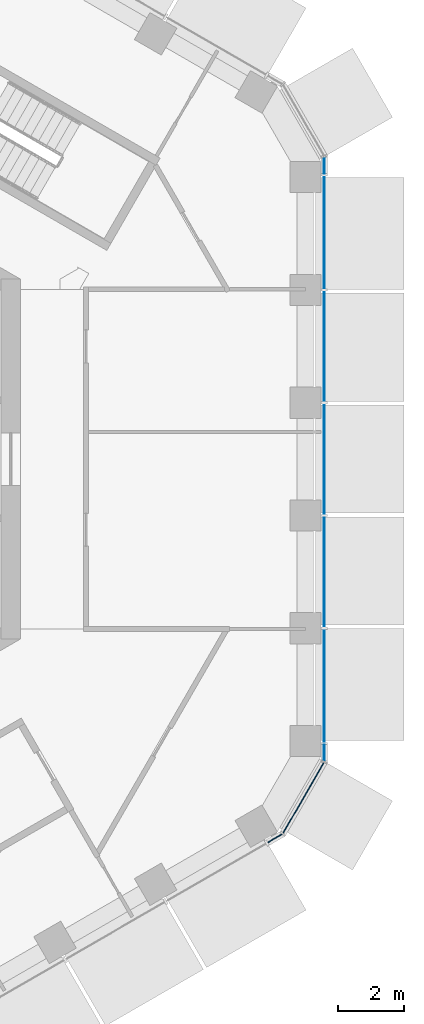
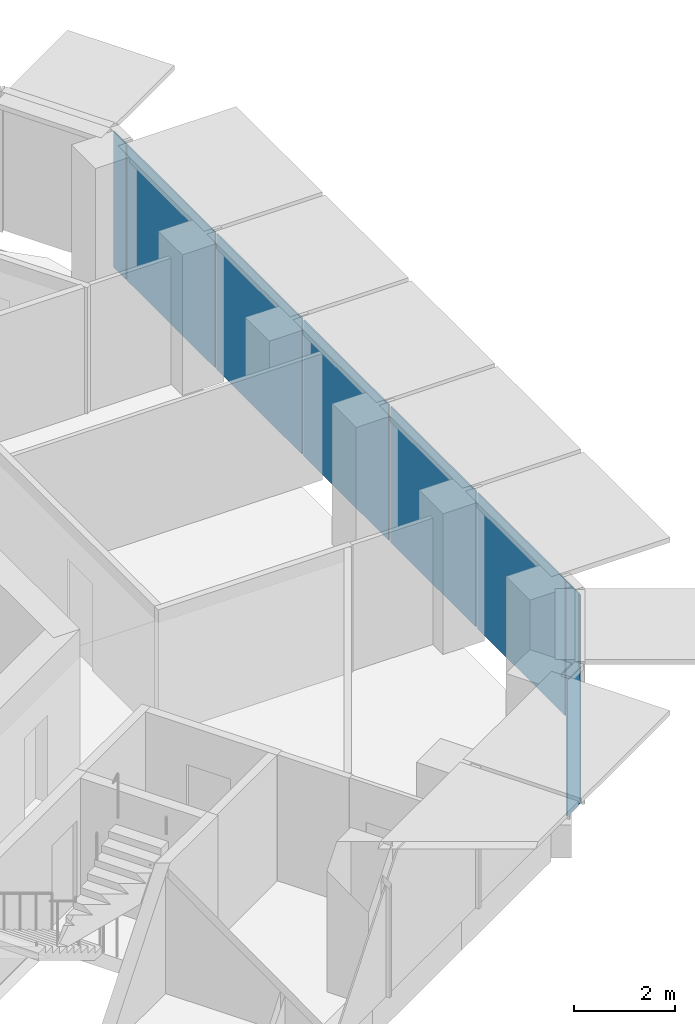
# One storey, part 11 of 18: 9 plates, 3 elements without a shape of their own.
"""IFC4 building model written with IfcOpenShell, lengths in metres."""

from ifc_helpers import new_model, si_unit, direction, frame, origin, origin_2d, place, context, subcontext, project, spatial, rectangle, extrude, material, layer, layer_set, type_object, element, aggregate, save


model = new_model("IFC4")

# Units and contexts
model_context = context("Model", 3, precision=1e-05, world=origin(), true_north=direction((0.0, 1.0)))
body_context = subcontext(model_context, "Body", "Model", "MODEL_VIEW")
ifc_project = project(units=[si_unit("LENGTHUNIT", "METRE"), si_unit("AREAUNIT", "SQUARE_METRE"), si_unit("VOLUMEUNIT", "CUBIC_METRE"), si_unit("PLANEANGLEUNIT", "RADIAN"), si_unit("MASSUNIT", "GRAM", prefix="KILO")], contexts=[model_context])

# Site, building, storey
site_placement = place(None, origin())
site = spatial("IfcSite", under=ifc_project, at=site_placement, CompositionType="ELEMENT")
building_placement = place(site_placement, origin())
building = spatial("IfcBuilding", under=site, at=building_placement, Name="Ayvan Gate Tower", CompositionType="ELEMENT")
storey_placement = place(building_placement, frame((0.0, 0.0, 159.5)))
storey = spatial("IfcBuildingStorey", under=building, at=storey_placement, Name="L42", CompositionType="ELEMENT", Elevation=159.5)

# Curtain wall, plates
ifc_material_1 = material(Name="Bronze anodised aluminium", Category="aluminium")
ifc_layer_1 = layer(ifc_material_1, 0.199951171875)
ifc_layer_set_1 = layer_set([ifc_layer_1], Name="Bronze anodised aluminium")
curtain_wall_type_1 = type_object("IfcCurtainWallType", Name="Stick curtain wall CW-2", PredefinedType="NOTDEFINED", material=ifc_layer_set_1)
curtain_wall_1_placement = place(storey_placement, origin())
curtain_wall_1 = element("IfcCurtainWall", 1, at=curtain_wall_1_placement, inside=storey, type_object=curtain_wall_type_1, Name="Stick curtain wall CW-2 L42", PredefinedType="NOTDEFINED")
ifc_material_2 = material(Name="Clear low-iron laminated glass", Category="glass")
ifc_layer_2 = layer(ifc_material_2, 0.028076171875)
ifc_layer_set_2 = layer_set([ifc_layer_2], Name="Clear low-iron laminated glass")
plate_type_1 = type_object("IfcPlateType", Name="Stick curtain wall CW-2 glass panel", PredefinedType="CURTAIN_PANEL", material=ifc_layer_set_2)
plate_1_placement = place(storey_placement, frame((18.761474609375, -6.93212890625, 0.0), z_axis=(0.0, 0.0, 1.0), x_axis=(0.0, 1.0, 0.0)))
plate_1 = element("IfcPlate", 2, at=plate_1_placement, type_object=plate_type_1, Name="CW-2 glass panel 1", PredefinedType="CURTAIN_PANEL", context=body_context, shape_type="SweptSolid", body=[
    extrude(rectangle(XDim=3.47900390625, YDim=0.028076171875, at=origin_2d()), origin(), (0.0, 0.0, 1.0), 3.280029296875),
])
plate_2_placement = place(storey_placement, frame((18.761474609375, -3.4384765625, 0.0), z_axis=(0.0, 0.0, 1.0), x_axis=(0.0, 1.0, 0.0)))
plate_2 = element("IfcPlate", 3, at=plate_2_placement, type_object=plate_type_1, Name="CW-2 glass panel 2", PredefinedType="CURTAIN_PANEL", context=body_context, shape_type="SweptSolid", body=[
    extrude(rectangle(XDim=3.367919921875, YDim=0.028076171875, at=origin_2d()), origin(), (0.0, 0.0, 1.0), 3.280029296875),
])
plate_3_placement = place(storey_placement, frame((18.761474609375, 0.0, 0.0), z_axis=(0.0, 0.0, 1.0), x_axis=(0.0, 1.0, 0.0)))
plate_3 = element("IfcPlate", 4, at=plate_3_placement, type_object=plate_type_1, Name="CW-2 glass panel 3", PredefinedType="CURTAIN_PANEL", context=body_context, shape_type="SweptSolid", body=[
    extrude(rectangle(XDim=3.368896484375, YDim=0.028076171875, at=origin_2d()), origin(), (0.0, 0.0, 1.0), 3.280029296875),
])
plate_4_placement = place(storey_placement, frame((18.761474609375, 3.43896484375, 0.0), z_axis=(0.0, 0.0, 1.0), x_axis=(0.0, 1.0, 0.0)))
plate_4 = element("IfcPlate", 5, at=plate_4_placement, type_object=plate_type_1, Name="CW-2 glass panel 4", PredefinedType="CURTAIN_PANEL", context=body_context, shape_type="SweptSolid", body=[
    extrude(rectangle(XDim=3.368896484375, YDim=0.028076171875, at=origin_2d()), origin(), (0.0, 0.0, 1.0), 3.280029296875),
])
plate_5_placement = place(storey_placement, frame((18.761474609375, 6.9326171875, 0.0), z_axis=(0.0, 0.0, 1.0), x_axis=(0.0, 1.0, 0.0)))
plate_5 = element("IfcPlate", 6, at=plate_5_placement, type_object=plate_type_1, Name="CW-2 glass panel 5", PredefinedType="CURTAIN_PANEL", context=body_context, shape_type="SweptSolid", body=[
    extrude(rectangle(XDim=3.478271484375, YDim=0.028076171875, at=origin_2d()), origin(), (0.0, 0.0, 1.0), 3.280029296875),
])
aggregate(curtain_wall_1, [plate_1, plate_2, plate_3, plate_4, plate_5])

ifc_layer_3 = layer(ifc_material_1, 0.199951171875)
ifc_layer_set_3 = layer_set([ifc_layer_3], Name="Bronze anodised aluminium")
curtain_wall_type_2 = type_object("IfcCurtainWallType", Name="Stick curtain wall CW-6", PredefinedType="NOTDEFINED", material=ifc_layer_set_3)
curtain_wall_2_placement = place(storey_placement, origin())
curtain_wall_2 = element("IfcCurtainWall", 7, at=curtain_wall_2_placement, inside=storey, type_object=curtain_wall_type_2, Name="Stick curtain wall CW-6 L42", PredefinedType="NOTDEFINED")
ifc_layer_4 = layer(ifc_material_2, 0.028076171875)
ifc_layer_set_4 = layer_set([ifc_layer_4], Name="Clear low-iron laminated glass")
plate_type_2 = type_object("IfcPlateType", Name="Stick curtain wall CW-6 glass panel", PredefinedType="CURTAIN_PANEL", material=ifc_layer_set_4)
plate_6_placement = place(storey_placement, frame((17.256103515625, -11.56396484375, 0.0), z_axis=(0.0, 0.0, 1.0), x_axis=(0.866025403784, 0.5, 0.0)))
plate_6 = element("IfcPlate", 8, at=plate_6_placement, type_object=plate_type_2, Name="CW-6 glass panel 1", PredefinedType="CURTAIN_PANEL", context=body_context, shape_type="SweptSolid", body=[
    extrude(rectangle(XDim=0.5, YDim=0.028076171875, at=origin_2d()), origin(), (0.0, 0.0, 1.0), 3.280029296875),
])
plate_7_placement = place(storey_placement, frame((18.1279296875, -10.3291015625, 0.0), z_axis=(0.0, 0.0, 1.0), x_axis=(0.5, 0.866025403784, 0.0)))
plate_7 = element("IfcPlate", 9, at=plate_7_placement, type_object=plate_type_2, Name="CW-6 glass panel 2", PredefinedType="CURTAIN_PANEL", context=body_context, shape_type="SweptSolid", body=[
    extrude(rectangle(XDim=2.484619140625, YDim=0.028076171875, at=origin_2d()), origin(), (0.0, 0.0, 1.0), 3.280029296875),
])
plate_8_placement = place(storey_placement, frame((18.761474609375, -8.95654296875, 0.0), z_axis=(0.0, 0.0, 1.0), x_axis=(0.0, 1.0, 0.0)))
plate_8 = element("IfcPlate", 10, at=plate_8_placement, type_object=plate_type_2, Name="CW-6 glass panel 3", PredefinedType="CURTAIN_PANEL", context=body_context, shape_type="SweptSolid", body=[
    extrude(rectangle(XDim=0.5, YDim=0.028076171875, at=origin_2d()), origin(), (0.0, 0.0, 1.0), 3.280029296875),
])
aggregate(curtain_wall_2, [plate_6, plate_7, plate_8])

# Curtain wall, plate
curtain_wall_3_placement = place(storey_placement, origin())
curtain_wall_3 = element("IfcCurtainWall", 11, at=curtain_wall_3_placement, inside=storey, type_object=curtain_wall_type_2, Name="Stick curtain wall CW-6 L42", PredefinedType="NOTDEFINED")
plate_9_placement = place(storey_placement, frame((18.761474609375, 8.95654296875, 0.0), z_axis=(0.0, 0.0, 1.0), x_axis=(0.0, 1.0, 0.0)))
plate_9 = element("IfcPlate", 12, at=plate_9_placement, type_object=plate_type_2, Name="CW-6 glass panel 1", PredefinedType="CURTAIN_PANEL", context=body_context, shape_type="SweptSolid", body=[
    extrude(rectangle(XDim=0.5, YDim=0.028076171875, at=origin_2d()), origin(), (0.0, 0.0, 1.0), 3.280029296875),
])
aggregate(curtain_wall_3, [plate_9])

save(model, "model.ifc")
